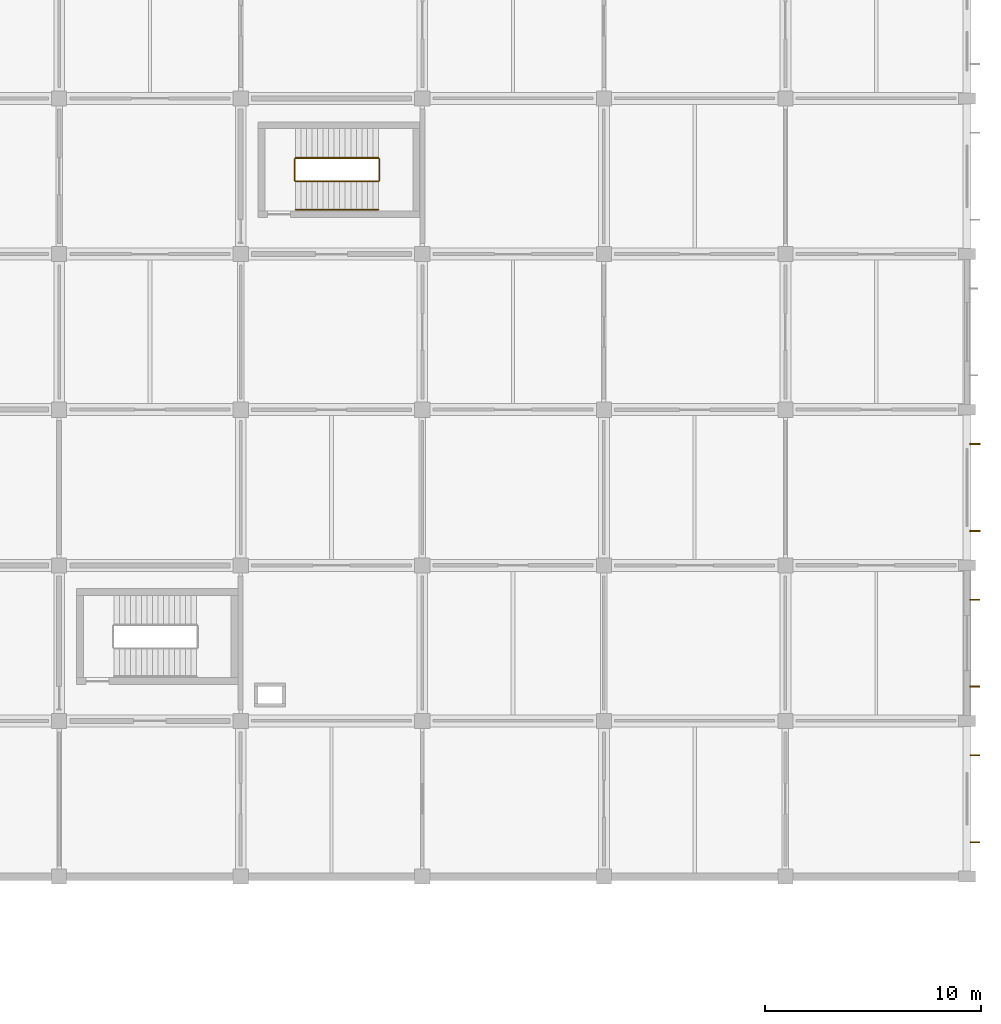
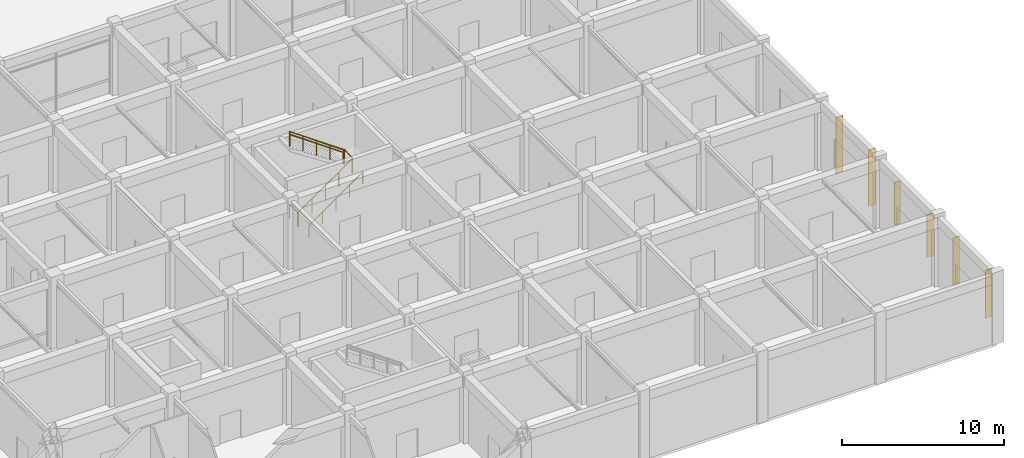
# One storey, part 40 of 41: 6 railings, 6 shading devices.
"""IFC4 building model written with IfcOpenShell, lengths in metres."""

from ifc_helpers import new_model, si_unit, derived_unit, direction, frame, origin, origin_2d, place, context, subcontext, project, spatial, rectangle, circle, extrude, material, layer, layer_set, type_object, element, save


model = new_model("IFC4")

# Units and contexts
model_context = context("Model", 3, precision=1e-05, world=origin(), true_north=direction((0.0, 1.0)))
body_context = subcontext(model_context, "Body", "Model", "MODEL_VIEW")
ifc_project = project(units=[si_unit("LENGTHUNIT", "METRE"), si_unit("AREAUNIT", "SQUARE_METRE"), si_unit("VOLUMEUNIT", "CUBIC_METRE"), si_unit("PLANEANGLEUNIT", "RADIAN"), si_unit("MASSUNIT", "GRAM", prefix="KILO"), derived_unit("THERMALTRANSMITTANCEUNIT", [(si_unit("MASSUNIT", "GRAM", prefix="KILO"), 1), (si_unit("TIMEUNIT", "SECOND"), -3), (si_unit("THERMODYNAMICTEMPERATUREUNIT", "KELVIN"), -1)])], contexts=[model_context])

# Site, building, storey
site_placement = place(None, origin())
site = spatial("IfcSite", under=ifc_project, at=site_placement, CompositionType="ELEMENT")
building_placement = place(site_placement, origin())
building = spatial("IfcBuilding", under=site, at=building_placement, Name="Veldstrom Oceanarium and Marine Research Institute", CompositionType="ELEMENT")
storey_placement = place(building_placement, frame((0.0, 0.0, 6.0)))
storey = spatial("IfcBuildingStorey", under=building, at=storey_placement, Name="L01", CompositionType="ELEMENT", Elevation=6.0)

# Railings
ifc_material_1 = material(Name="Duplex Stainless Steel Balustrade", Category="steel")
ifc_layer_1 = layer(ifc_material_1, 0.06005859375)
ifc_layer_set_1 = layer_set([ifc_layer_1], Name="ARC-RLG-GR1")
railing_type_1 = type_object("IfcRailingType", Name="ARC-RLG-GR1", PredefinedType="GUARDRAIL", material=ifc_layer_set_1)
railing_1_placement = place(storey_placement, frame((136.89990234375, 75.39990234375, 0.0)))
element("IfcRailing", 1, at=railing_1_placement, inside=storey, type_object=railing_type_1, Name="Stair Well Landing Guard ST7 L01", PredefinedType="GUARDRAIL", context=body_context, shape_type="SweptSolid", body=[
    extrude(circle(Radius=0.02392578125, at=origin_2d()), frame((0.0, 0.0, 1.09619140625), z_axis=(0.0, 1.0, 0.0), x_axis=(-1.0, 0.0, 0.0)), (0.0, 0.0, 1.0), 1.0),
    extrude(circle(Radius=0.02099609375, at=origin_2d()), origin(), (0.0, 0.0, 1.0), 1.072021484375),
    extrude(circle(Radius=0.02099609375, at=origin_2d()), frame((0.0, 1.0, 0.0)), (0.0, 0.0, 1.0), 1.072021484375),
])
railing_2_placement = place(storey_placement, frame((136.93994140625, 75.360107421875, 0.0)))
element("IfcRailing", 2, at=railing_2_placement, inside=storey, type_object=railing_type_1, Name="Stair Flight Guardrail ST7-L01-1", PredefinedType="GUARDRAIL", context=body_context, shape_type="SweptSolid", body=[
    extrude(circle(Radius=0.02392578125, at=origin_2d()), frame((0.0, 0.0, 1.09619140625), z_axis=(0.816969308413, 0.0, 0.5766811503), x_axis=(0.0, 1.0, 0.0)), (0.0, 0.0, 1.0), 4.681884765625),
    extrude(circle(Radius=0.02099609375, at=origin_2d()), origin(), (0.0, 0.0, 1.0), 1.072021484375),
    extrude(circle(Radius=0.02099609375, at=origin_2d()), frame((0.956298828125, 0.0, 0.675048828125)), (0.0, 0.0, 1.0), 1.072021484375),
    extrude(circle(Radius=0.02099609375, at=origin_2d()), frame((1.91259765625, 0.0, 1.35009765625)), (0.0, 0.0, 1.0), 1.072021484375),
    extrude(circle(Radius=0.02099609375, at=origin_2d()), frame((2.86865234375, 0.0, 2.02490234375)), (0.0, 0.0, 1.0), 1.072021484375),
    extrude(circle(Radius=0.02099609375, at=origin_2d()), frame((3.824951171875, 0.0, 2.699951171875)), (0.0, 0.0, 1.0), 1.072021484375),
])
railing_3_placement = place(storey_placement, frame((140.804931640625, 75.39990234375, 2.699951171875)))
element("IfcRailing", 3, at=railing_3_placement, inside=storey, type_object=railing_type_1, Name="Stair Half-Landing Guardrail ST7-L01", PredefinedType="GUARDRAIL", context=body_context, shape_type="SweptSolid", body=[
    extrude(circle(Radius=0.02392578125, at=origin_2d()), frame((0.0, 0.0, 1.09619140625), z_axis=(0.0, 1.0, 0.0), x_axis=(-1.0, 0.0, 0.0)), (0.0, 0.0, 1.0), 1.0),
    extrude(circle(Radius=0.02099609375, at=origin_2d()), origin(), (0.0, 0.0, 1.0), 1.072021484375),
    extrude(circle(Radius=0.02099609375, at=origin_2d()), frame((0.0, 1.0, 0.0)), (0.0, 0.0, 1.0), 1.072021484375),
])
railing_4_placement = place(storey_placement, frame((140.764892578125, 76.43994140625, 2.699951171875)))
element("IfcRailing", 4, at=railing_4_placement, inside=storey, type_object=railing_type_1, Name="Stair Flight Guardrail ST7-L01-2", PredefinedType="GUARDRAIL", context=body_context, shape_type="SweptSolid", body=[
    extrude(circle(Radius=0.02392578125, at=origin_2d()), frame((0.0, 0.0, 1.09619140625), z_axis=(-0.816969308413, 0.0, 0.5766811503), x_axis=(0.0, -1.0, 0.0)), (0.0, 0.0, 1.0), 4.681884765625),
    extrude(circle(Radius=0.02099609375, at=origin_2d()), origin(), (0.0, 0.0, 1.0), 1.072021484375),
    extrude(circle(Radius=0.02099609375, at=origin_2d()), frame((-0.956298828125, 0.0, 0.675048828125)), (0.0, 0.0, 1.0), 1.072021484375),
    extrude(circle(Radius=0.02099609375, at=origin_2d()), frame((-1.91259765625, 0.0, 1.35009765625)), (0.0, 0.0, 1.0), 1.072021484375),
    extrude(circle(Radius=0.02099609375, at=origin_2d()), frame((-2.86865234375, 0.0, 2.02490234375)), (0.0, 0.0, 1.0), 1.072021484375),
    extrude(circle(Radius=0.02099609375, at=origin_2d()), frame((-3.824951171875, 0.0, 2.699951171875)), (0.0, 0.0, 1.0), 1.072021484375),
])
ifc_material_2 = material(Name="Brushed Stainless Steel Handrail", Category="steel")
ifc_layer_2 = layer(ifc_material_2, 0.050048828125)
ifc_layer_set_2 = layer_set([ifc_layer_2], Name="ARC-RLG-HR1")
railing_type_2 = type_object("IfcRailingType", Name="ARC-RLG-HR1", PredefinedType="HANDRAIL", material=ifc_layer_set_2)
railing_5_placement = place(storey_placement, frame((136.93994140625, 74.06005859375, 0.0)))
element("IfcRailing", 5, at=railing_5_placement, inside=storey, type_object=railing_type_2, Name="Stair Wall Handrail ST7-L01-1", PredefinedType="HANDRAIL", context=body_context, shape_type="SweptSolid", body=[
    extrude(circle(Radius=0.02392578125, at=origin_2d()), frame((0.0, 0.0, 0.8759765625), z_axis=(0.816969308413, 0.0, 0.5766811503), x_axis=(0.0, 1.0, 0.0)), (0.0, 0.0, 1.0), 4.681884765625),
    extrude(circle(Radius=0.02099609375, at=origin_2d()), origin(), (0.0, 0.0, 1.0), 0.851806640625),
    extrude(circle(Radius=0.02099609375, at=origin_2d()), frame((0.956298828125, 0.0, 0.675048828125)), (0.0, 0.0, 1.0), 0.851806640625),
    extrude(circle(Radius=0.02099609375, at=origin_2d()), frame((1.91259765625, 0.0, 1.35009765625)), (0.0, 0.0, 1.0), 0.851806640625),
    extrude(circle(Radius=0.02099609375, at=origin_2d()), frame((2.86865234375, 0.0, 2.02490234375)), (0.0, 0.0, 1.0), 0.851806640625),
    extrude(circle(Radius=0.02099609375, at=origin_2d()), frame((3.824951171875, 0.0, 2.699951171875)), (0.0, 0.0, 1.0), 0.851806640625),
])
railing_6_placement = place(storey_placement, frame((140.764892578125, 76.4599609375, 2.699951171875)))
element("IfcRailing", 6, at=railing_6_placement, inside=storey, type_object=railing_type_2, Name="Stair Wall Handrail ST7-L01-2", PredefinedType="HANDRAIL", context=body_context, shape_type="SweptSolid", body=[
    extrude(circle(Radius=0.02392578125, at=origin_2d()), frame((0.0, 0.0, 0.8759765625), z_axis=(-0.816969308413, 0.0, 0.5766811503), x_axis=(0.0, -1.0, 0.0)), (0.0, 0.0, 1.0), 4.681884765625),
    extrude(circle(Radius=0.02099609375, at=origin_2d()), origin(), (0.0, 0.0, 1.0), 0.851806640625),
    extrude(circle(Radius=0.02099609375, at=origin_2d()), frame((-0.956298828125, 0.0, 0.675048828125)), (0.0, 0.0, 1.0), 0.851806640625),
    extrude(circle(Radius=0.02099609375, at=origin_2d()), frame((-1.91259765625, 0.0, 1.35009765625)), (0.0, 0.0, 1.0), 0.851806640625),
    extrude(circle(Radius=0.02099609375, at=origin_2d()), frame((-2.86865234375, 0.0, 2.02490234375)), (0.0, 0.0, 1.0), 0.851806640625),
    extrude(circle(Radius=0.02099609375, at=origin_2d()), frame((-3.824951171875, 0.0, 2.699951171875)), (0.0, 0.0, 1.0), 0.851806640625),
])

# Shading devices
ifc_material_3 = material(Name="Precast Terracotta Brise-Soleil Louvre", Category="masonry")
ifc_layer_3 = layer(ifc_material_3, 3.60009765625)
ifc_layer_set_3 = layer_set([ifc_layer_3], Name="ARC-SHD-BS01")
shading_device_type_1 = type_object("IfcShadingDeviceType", Name="ARC-SHD-BS01", PredefinedType="JALOUSIE", material=ifc_layer_set_3)
for number, where, z_axis, x_axis, name in (
    (7, (168.364990234375, 44.7900390625, 0.737548828125), (0.0, 0.0, 1.0), (1.0, 0.0, 0.0), "Terracotta Brise-Soleil Louvre L01-056"),
    (8, (168.364990234375, 48.81005859375, 0.737548828125), (0.0, 0.0, 1.0), (1.0, 0.0, 0.0), "Terracotta Brise-Soleil Louvre L01-056"),
):
    element("IfcShadingDevice", number, at=place(storey_placement, frame(where, z_axis=z_axis, x_axis=x_axis)), inside=storey, type_object=shading_device_type_1, Name=name, PredefinedType="JALOUSIE", context=body_context, shape_type="SweptSolid", body=[
        extrude(rectangle(XDim=0.449951171875, YDim=0.06005859375, at=origin_2d()), origin(), (0.0, 0.0, 1.0), 3.60009765625),
    ])
ifc_material_4 = material(Name="Precast Terracotta Brise-Soleil Louvre", Category="masonry")
ifc_layer_4 = layer(ifc_material_4, 3.199951171875)
ifc_layer_set_4 = layer_set([ifc_layer_4], Name="ARC-SHD-BS02")
shading_device_type_2 = type_object("IfcShadingDeviceType", Name="ARC-SHD-BS02", PredefinedType="JALOUSIE", material=ifc_layer_set_4)
for number, where, z_axis, x_axis, name in (
    (9, (168.35498046875, 51.989990234375, 0.9375), (0.0, 0.0, 1.0), (1.0, 0.0, 0.0), "Terracotta Brise-Soleil Louvre L01-057"),
    (10, (168.35498046875, 56.010009765625, 0.9375), (0.0, 0.0, 1.0), (1.0, 0.0, 0.0), "Terracotta Brise-Soleil Louvre L01-057"),
):
    element("IfcShadingDevice", number, at=place(storey_placement, frame(where, z_axis=z_axis, x_axis=x_axis)), inside=storey, type_object=shading_device_type_2, Name=name, PredefinedType="JALOUSIE", context=body_context, shape_type="SweptSolid", body=[
        extrude(rectangle(XDim=0.449951171875, YDim=0.06005859375, at=origin_2d()), origin(), (0.0, 0.0, 1.0), 3.199951171875),
    ])
ifc_material_5 = material(Name="Precast Terracotta Brise-Soleil Louvre", Category="masonry")
ifc_layer_5 = layer(ifc_material_5, 4.199951171875)
ifc_layer_set_5 = layer_set([ifc_layer_5], Name="ARC-SHD-BS03")
shading_device_type_3 = type_object("IfcShadingDeviceType", Name="ARC-SHD-BS03", PredefinedType="JALOUSIE", material=ifc_layer_set_5)
for number, where, z_axis, x_axis, name in (
    (11, (168.3701171875, 59.18994140625, 0.4375), (0.0, 0.0, 1.0), (1.0, 0.0, 0.0), "Terracotta Brise-Soleil Louvre L01-058"),
    (12, (168.3701171875, 63.2099609375, 0.4375), (0.0, 0.0, 1.0), (1.0, 0.0, 0.0), "Terracotta Brise-Soleil Louvre L01-058"),
):
    element("IfcShadingDevice", number, at=place(storey_placement, frame(where, z_axis=z_axis, x_axis=x_axis)), inside=storey, type_object=shading_device_type_3, Name=name, PredefinedType="JALOUSIE", context=body_context, shape_type="SweptSolid", body=[
        extrude(rectangle(XDim=0.5, YDim=0.06494140625, at=origin_2d()), origin(), (0.0, 0.0, 1.0), 4.199951171875),
    ])

save(model, "model.ifc")
